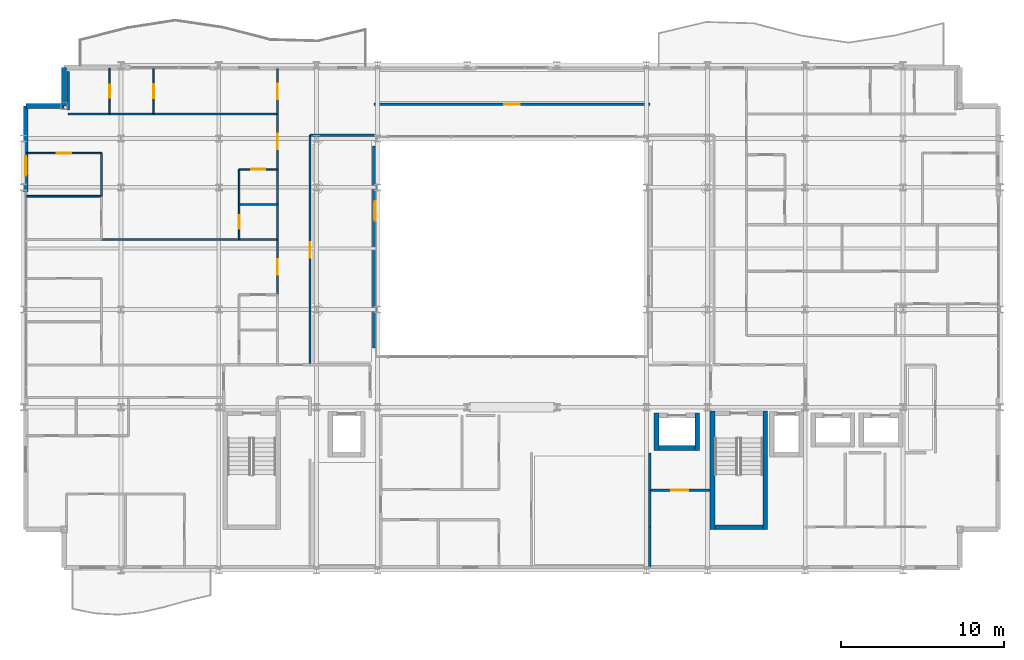
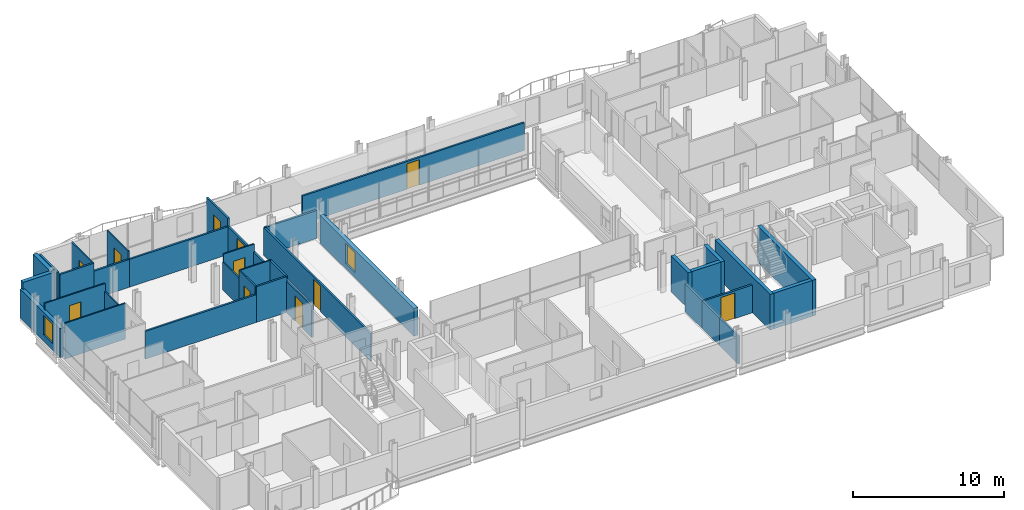
# One storey, part 35 of 41: 37 walls, 11 doors, 2 windows, 13 openings.
"""IFC4 building model written with IfcOpenShell, lengths in metres."""

from ifc_helpers import new_model, si_unit, direction, frame, frame_2d, origin, place, context, subcontext, project, spatial, rectangle, extrude, material, layer, layer_set, type_object, element, fill, save


model = new_model("IFC4")

# Units and contexts
model_context = context("Model", 3, precision=1e-05, world=origin(), true_north=direction((0.0, 1.0)))
body_context = subcontext(model_context, "Body", "Model", "MODEL_VIEW")
ifc_project = project(units=[si_unit("LENGTHUNIT", "METRE"), si_unit("AREAUNIT", "SQUARE_METRE"), si_unit("VOLUMEUNIT", "CUBIC_METRE"), si_unit("PLANEANGLEUNIT", "RADIAN"), si_unit("MASSUNIT", "GRAM", prefix="KILO")], contexts=[model_context])

# Site, building, storey
site_placement = place(None, origin())
site = spatial("IfcSite", under=ifc_project, at=site_placement, CompositionType="ELEMENT")
building_placement = place(site_placement, origin())
building = spatial("IfcBuilding", under=site, at=building_placement, Name="Brevholm Reach", CompositionType="ELEMENT")
storey_placement = place(building_placement, frame((0.0, 0.0, 144.89990234375)))
storey = spatial("IfcBuildingStorey", under=building, at=storey_placement, Name="L43", CompositionType="ELEMENT", Elevation=144.89990234375)

# Walls
ifc_material_1 = material(Name="Concrete C50/60", Category="concrete")
ifc_layer_1 = layer(ifc_material_1, 0.280029296875)
ifc_layer_set_1 = layer_set([ifc_layer_1], Name="Concrete C50/60")
wall_type_1 = type_object("IfcWallType", Name="WAL-COR-280", PredefinedType="SHEAR", material=ifc_layer_set_1)
for number, where, z_axis, x_axis, name in (
    (1, (42.31005859375, 2.5, 0.0), (0.0, 0.0, 1.0), (0.0, 1.0, 0.0), "L43 Escape Stair ST-2 Core Wall W"),
    (2, (45.5400390625, 2.5, 0.0), (0.0, 0.0, 1.0), (0.0, 1.0, 0.0), "L43 Escape Stair ST-2 Core Wall E"),
):
    element("IfcWall", number, at=place(storey_placement, frame(where, z_axis=z_axis, x_axis=x_axis)), inside=storey, type_object=wall_type_1, Name=name, PredefinedType="SHEAR", context=body_context, shape_type="SweptSolid", body=[
        extrude(rectangle(XDim=7.280029296875, YDim=0.280029296875, at=frame_2d((3.64013671875, 0.0))), origin(), (0.0, 0.0, 1.0), 2.880126953125),
    ])
wall_1_placement = place(storey_placement, frame((42.449951171875, 2.639892578125, 0.0), z_axis=(0.0, 0.0, 1.0), x_axis=(1.0, 0.0, 0.0)))
element("IfcWall", 3, at=wall_1_placement, inside=storey, type_object=wall_type_1, Name="L43 Escape Stair ST-2 Core Wall S", PredefinedType="SHEAR", context=body_context, shape_type="SweptSolid", body=[
    extrude(rectangle(XDim=2.949951171875, YDim=0.280029296875, at=frame_2d((1.47509765625, 0.0))), origin(), (0.0, 0.0, 1.0), 2.880126953125),
])
for number, where, z_axis, x_axis, name in (
    (4, (38.8701171875, 7.360107421875, 0.0), (0.0, 0.0, 1.0), (0.0, 1.0, 0.0), "L43 Lift PL-S1 Shaft Wall W"),
    (5, (41.3701171875, 7.360107421875, 0.0), (0.0, 0.0, 1.0), (0.0, 1.0, 0.0), "L43 Lift PL-S1 Shaft Wall E"),
):
    element("IfcWall", number, at=place(storey_placement, frame(where, z_axis=z_axis, x_axis=x_axis)), inside=storey, type_object=wall_type_1, Name=name, PredefinedType="SHEAR", context=body_context, shape_type="SweptSolid", body=[
        extrude(rectangle(XDim=2.27978515625, YDim=0.280029296875, at=frame_2d((1.139892578125, 0.0))), origin(), (0.0, 0.0, 1.0), 2.880126953125),
    ])
wall_2_placement = place(storey_placement, frame((39.010009765625, 7.5, 0.0), z_axis=(0.0, 0.0, 1.0), x_axis=(1.0, 0.0, 0.0)))
element("IfcWall", 6, at=wall_2_placement, inside=storey, type_object=wall_type_1, Name="L43 Lift PL-S1 Shaft Wall S", PredefinedType="SHEAR", context=body_context, shape_type="SweptSolid", body=[
    extrude(rectangle(XDim=2.219970703125, YDim=0.280029296875, at=frame_2d((1.10986328125, 0.0))), origin(), (0.0, 0.0, 1.0), 2.880126953125),
])
ifc_material_2 = material(Name="Concrete C40/50", Category="concrete")
ifc_layer_2 = layer(ifc_material_2, 0.300048828125)
ifc_layer_set_2 = layer_set([ifc_layer_2], Name="Concrete C40/50")
wall_type_2 = type_object("IfcWallType", Name="WAL-EXT-300", PredefinedType="STANDARD", material=ifc_layer_set_2)
for number, where, z_axis, x_axis, name in (
    (7, (2.5, 30.85009765625, 0.0), (0.0, 0.0, 1.0), (0.0, -1.0, 0.0), "L43 Facade Wall WAL-L43-CNW1"),
    (8, (2.5, 28.5, 0.0), (0.0, 0.0, 1.0), (-1.0, 0.0, 0.0), "L43 Facade Wall WAL-L43-CNW2"),
):
    element("IfcWall", number, at=place(storey_placement, frame(where, z_axis=z_axis, x_axis=x_axis)), inside=storey, type_object=wall_type_2, Name=name, PredefinedType="STANDARD", context=body_context, shape_type="SweptSolid", body=[
        extrude(rectangle(XDim=2.35009765625, YDim=0.300048828125, at=frame_2d((1.175048828125, 0.0))), origin(), (0.0, 0.0, 1.0), 2.880126953125),
    ])

# Wall, opening, window
wall_3_placement = place(storey_placement, frame((0.14990234375, 28.5, 0.0), z_axis=(0.0, 0.0, 1.0), x_axis=(0.0, -1.0, 0.0)))
wall_3 = element("IfcWall", 9, at=wall_3_placement, inside=storey, type_object=wall_type_2, Name="L43 Facade Wall WAL-L43-W-N", PredefinedType="STANDARD", context=body_context, shape_type="SweptSolid", body=[
    extrude(rectangle(XDim=5.280029296875, YDim=0.300048828125, at=frame_2d((2.64013671875, 0.0))), origin(), (0.0, 0.0, 1.0), 2.322021484375),
])
opening_1_placement = place(wall_3_placement, frame((3.080078125, 0.0, 0.501953125)))
opening_1 = element("IfcOpeningElement", 10, at=opening_1_placement, cuts=wall_3, Name="Opening WN-08", PredefinedType="OPENING", context=body_context, shape_type="SweptSolid", body=[
    extrude(rectangle(XDim=1.199951171875, YDim=1.60009765625, at=frame_2d((0.60009765625, 0.800048828125))), frame((0.0, 0.159912109375, 0.0), z_axis=(0.0, -1.0, 0.0), x_axis=(1.0, 0.0, 0.0)), (0.0, 0.0, 1.0), 0.320068359375),
])
ifc_material_3 = material(Name="Dark Anodised Aluminium and Solar-Control IGU Glass", Category="aluminium")
window_type = type_object("IfcWindowType", Name="WIN-RES-1200", PartitioningType="SINGLE_PANEL", PredefinedType="WINDOW", material=ifc_material_3)
window_1_placement = place(opening_1_placement, origin())
window_1 = element("IfcWindow", 11, at=window_1_placement, inside=storey, type_object=window_type, Name="L43 Window WIN-L43-WN-1", OverallHeight=1.60009765625, OverallWidth=1.199951171875, PartitioningType="SINGLE_PANEL", PredefinedType="WINDOW", context=body_context, shape_type="SweptSolid", body=[
    extrude(rectangle(XDim=1.199951171875, YDim=1.60009765625, at=frame_2d((0.60009765625, 0.800048828125))), frame((0.0, 0.030029296875, 0.0), z_axis=(0.0, -1.0, 0.0), x_axis=(1.0, 0.0, 0.0)), (0.0, 0.0, 1.0), 0.06005859375),
])
fill(opening_1, window_1)

wall_4_placement = place(storey_placement, frame((21.60009765625, 26.050048828125, 0.0), z_axis=(0.0, 0.0, 1.0), x_axis=(0.0, -1.0, 0.0)))
wall_4 = element("IfcWall", 12, at=wall_4_placement, inside=storey, type_object=wall_type_2, Name="L43 Facade Wall WAL-L43-AT-W", PredefinedType="STANDARD", context=body_context, shape_type="SweptSolid", body=[
    extrude(rectangle(XDim=12.400146484375, YDim=0.300048828125, at=frame_2d((6.2001953125, 0.0))), origin(), (0.0, 0.0, 1.0), 2.242919921875),
])
opening_2_placement = place(wall_4_placement, frame((3.39990234375, 0.0, 0.423095703125)))
opening_2 = element("IfcOpeningElement", 13, at=opening_2_placement, cuts=wall_4, Name="Opening WN-08", PredefinedType="OPENING", context=body_context, shape_type="SweptSolid", body=[
    extrude(rectangle(XDim=1.199951171875, YDim=1.60009765625, at=frame_2d((0.60009765625, 0.800048828125))), frame((0.0, 0.159912109375, 0.0), z_axis=(0.0, -1.0, 0.0), x_axis=(1.0, 0.0, 0.0)), (0.0, 0.0, 1.0), 0.320068359375),
])
window_2_placement = place(opening_2_placement, origin())
window_2 = element("IfcWindow", 14, at=window_2_placement, inside=storey, type_object=window_type, Name="L43 Window WIN-L43-AT-W1", OverallHeight=1.60009765625, OverallWidth=1.199951171875, PartitioningType="SINGLE_PANEL", PredefinedType="WINDOW", context=body_context, shape_type="SweptSolid", body=[
    extrude(rectangle(XDim=1.199951171875, YDim=1.60009765625, at=frame_2d((0.60009765625, 0.800048828125))), frame((0.0, 0.030029296875, 0.0), z_axis=(0.0, -1.0, 0.0), x_axis=(1.0, 0.0, 0.0)), (0.0, 0.0, 1.0), 0.06005859375),
])
fill(opening_2, window_2)

# Wall
ifc_material_4 = material(Name="Moisture-Resistant Acoustic Gypsum Stud Partition 100 mm", Category="gypsum")
ifc_layer_3 = layer(ifc_material_4, 0.10009765625)
ifc_layer_set_3 = layer_set([ifc_layer_3], Name="Moisture-Resistant Acoustic Gypsum Stud Partition 100 mm")
wall_type_3 = type_object("IfcWallType", Name="WAL-PRT-100", PredefinedType="PARTITIONING", material=ifc_layer_set_3)
wall_5_placement = place(storey_placement, frame((13.25, 22.449951171875, 0.0), z_axis=(0.0, 0.0, 1.0), x_axis=(1.0, 0.0, 0.0)))
element("IfcWall", 15, at=wall_5_placement, inside=storey, type_object=wall_type_3, Name="L43 Internal Partition 088", PredefinedType="PARTITIONING", context=body_context, shape_type="SweptSolid", body=[
    extrude(rectangle(XDim=2.345947265625, YDim=0.10009765625, at=frame_2d((1.1728515625, 0.0))), origin(), (0.0, 0.0, 1.0), 2.880126953125),
])

# Wall, opening, door
wall_6_placement = place(storey_placement, frame((13.25, 20.303955078125, 0.0), z_axis=(0.0, 0.0, 1.0), x_axis=(0.0, 1.0, 0.0)))
wall_6 = element("IfcWall", 16, at=wall_6_placement, inside=storey, type_object=wall_type_3, Name="L43 Internal Partition 089", PredefinedType="PARTITIONING", context=body_context, shape_type="SweptSolid", body=[
    extrude(rectangle(XDim=2.14599609375, YDim=0.10009765625, at=frame_2d((1.072998046875, 0.0))), origin(), (0.0, 0.0, 1.0), 2.880126953125),
])
opening_3_placement = place(wall_6_placement, frame((0.6630859375, 0.0, 0.0)))
opening_3 = element("IfcOpeningElement", 17, at=opening_3_placement, cuts=wall_6, Name="Opening ID-03", PredefinedType="OPENING", context=body_context, shape_type="SweptSolid", body=[
    extrude(rectangle(XDim=0.820068359375, YDim=2.02001953125, at=frame_2d((0.41015625, 1.010009765625))), frame((0.0, 0.06005859375, 0.0), z_axis=(0.0, -1.0, 0.0), x_axis=(1.0, 0.0, 0.0)), (0.0, 0.0, 1.0), 0.1201171875),
])
ifc_material_5 = material(Name="Moisture-Resistant Painted Timber Internal Bathroom Door", Category="wood")
door_type_1 = type_object("IfcDoorType", Name="DOR-BATH-820", OperationType="NOTDEFINED", PredefinedType="DOOR", material=ifc_material_5)
door_1_placement = place(opening_3_placement, origin())
door_1 = element("IfcDoor", 18, at=door_1_placement, inside=storey, type_object=door_type_1, Name="L43 Internal Door 038", OperationType="SINGLE_SWING_LEFT", OverallHeight=2.02001953125, OverallWidth=0.820068359375, PredefinedType="DOOR", context=body_context, shape_type="SweptSolid", body=[
    extrude(rectangle(XDim=0.820068359375, YDim=2.02001953125, at=frame_2d((0.41015625, 1.010009765625))), frame((0.0, 0.02490234375, 0.0), z_axis=(0.0, -1.0, 0.0), x_axis=(1.0, 0.0, 0.0)), (0.0, 0.0, 1.0), 0.050048828125),
])
fill(opening_3, door_1)

wall_7_placement = place(storey_placement, frame((13.25, 24.60595703125, 0.0), z_axis=(0.0, 0.0, 1.0), x_axis=(1.0, 0.0, 0.0)))
wall_7 = element("IfcWall", 19, at=wall_7_placement, inside=storey, type_object=wall_type_3, Name="L43 Internal Partition 090", PredefinedType="PARTITIONING", context=body_context, shape_type="SweptSolid", body=[
    extrude(rectangle(XDim=2.345947265625, YDim=0.10009765625, at=frame_2d((1.1728515625, 0.0))), origin(), (0.0, 0.0, 1.0), 2.880126953125),
])
opening_4_placement = place(wall_7_placement, frame((0.73291015625, 0.0, 0.0)))
opening_4 = element("IfcOpeningElement", 20, at=opening_4_placement, cuts=wall_7, Name="Opening ID-01", PredefinedType="OPENING", context=body_context, shape_type="SweptSolid", body=[
    extrude(rectangle(XDim=0.8798828125, YDim=2.0400390625, at=frame_2d((0.43994140625, 1.02001953125))), frame((0.0, 0.06005859375, 0.0), z_axis=(0.0, -1.0, 0.0), x_axis=(1.0, 0.0, 0.0)), (0.0, 0.0, 1.0), 0.1201171875),
])
ifc_material_6 = material(Name="Lacquered Ash Solid-Core Acoustic Internal Door", Category="timber")
door_type_2 = type_object("IfcDoorType", Name="DOR-INT-880", OperationType="NOTDEFINED", PredefinedType="DOOR", material=ifc_material_6)
door_2_placement = place(opening_4_placement, origin())
door_2 = element("IfcDoor", 21, at=door_2_placement, inside=storey, type_object=door_type_2, Name="L43 Internal Door 039", OperationType="SINGLE_SWING_RIGHT", OverallHeight=2.0400390625, OverallWidth=0.8798828125, PredefinedType="DOOR", context=body_context, shape_type="SweptSolid", body=[
    extrude(rectangle(XDim=0.8798828125, YDim=2.0400390625, at=frame_2d((0.43994140625, 1.02001953125))), frame((0.0, 0.02490234375, 0.0), z_axis=(0.0, -1.0, 0.0), x_axis=(1.0, 0.0, 0.0)), (0.0, 0.0, 1.0), 0.050048828125),
])
fill(opening_4, door_2)

# Walls
wall_8_placement = place(storey_placement, frame((13.25, 22.4541015625, 0.0), z_axis=(0.0, 0.0, 1.0), x_axis=(0.0, 1.0, 0.0)))
element("IfcWall", 22, at=wall_8_placement, inside=storey, type_object=wall_type_3, Name="L43 Internal Partition 091", PredefinedType="PARTITIONING", context=body_context, shape_type="SweptSolid", body=[
    extrude(rectangle(XDim=2.15185546875, YDim=0.10009765625, at=frame_2d((1.075927734375, 0.0))), origin(), (0.0, 0.0, 1.0), 2.242919921875),
])
wall_9_placement = place(storey_placement, frame((0.199951171875, 22.949951171875, 0.0), z_axis=(0.0, 0.0, 1.0), x_axis=(1.0, 0.0, 0.0)))
element("IfcWall", 23, at=wall_9_placement, inside=storey, type_object=wall_type_3, Name="L43 Internal Partition 092", PredefinedType="PARTITIONING", context=body_context, shape_type="SweptSolid", body=[
    extrude(rectangle(XDim=4.60009765625, YDim=0.10009765625, at=frame_2d((2.300048828125, 0.0))), origin(), (0.0, 0.0, 1.0), 2.880126953125),
])
wall_10_placement = place(storey_placement, frame((4.800048828125, 22.9541015625, 0.0), z_axis=(0.0, 0.0, 1.0), x_axis=(0.0, 1.0, 0.0)))
element("IfcWall", 24, at=wall_10_placement, inside=storey, type_object=wall_type_3, Name="L43 Internal Partition 094", PredefinedType="PARTITIONING", context=body_context, shape_type="SweptSolid", body=[
    extrude(rectangle(XDim=2.64599609375, YDim=0.10009765625, at=frame_2d((1.322998046875, 0.0))), origin(), (0.0, 0.0, 1.0), 2.242919921875),
])

# Wall, opening, door
wall_11_placement = place(storey_placement, frame((0.199951171875, 25.60009765625, 0.0), z_axis=(0.0, 0.0, 1.0), x_axis=(1.0, 0.0, 0.0)))
wall_11 = element("IfcWall", 25, at=wall_11_placement, inside=storey, type_object=wall_type_3, Name="L43 Internal Partition 095", PredefinedType="PARTITIONING", context=body_context, shape_type="SweptSolid", body=[
    extrude(rectangle(XDim=4.60009765625, YDim=0.10009765625, at=frame_2d((2.300048828125, 0.0))), origin(), (0.0, 0.0, 1.0), 2.880126953125),
])
opening_5_placement = place(wall_11_placement, frame((1.860107421875, 0.0, 0.0)))
opening_5 = element("IfcOpeningElement", 26, at=opening_5_placement, cuts=wall_11, Name="Opening ID-01", PredefinedType="OPENING", context=body_context, shape_type="SweptSolid", body=[
    extrude(rectangle(XDim=0.8798828125, YDim=2.0400390625, at=frame_2d((0.43994140625, 1.02001953125))), frame((0.0, 0.06005859375, 0.0), z_axis=(0.0, -1.0, 0.0), x_axis=(1.0, 0.0, 0.0)), (0.0, 0.0, 1.0), 0.1201171875),
])
door_3_placement = place(opening_5_placement, origin())
door_3 = element("IfcDoor", 27, at=door_3_placement, inside=storey, type_object=door_type_2, Name="L43 Internal Door 041", OperationType="SINGLE_SWING_RIGHT", OverallHeight=2.0400390625, OverallWidth=0.8798828125, PredefinedType="DOOR", context=body_context, shape_type="SweptSolid", body=[
    extrude(rectangle(XDim=0.8798828125, YDim=2.0400390625, at=frame_2d((0.43994140625, 1.02001953125))), frame((0.0, 0.02490234375, 0.0), z_axis=(0.0, -1.0, 0.0), x_axis=(1.0, 0.0, 0.0)), (0.0, 0.0, 1.0), 0.050048828125),
])
fill(opening_5, door_3)

wall_12_placement = place(storey_placement, frame((5.300048828125, 28.00390625, 0.0), z_axis=(0.0, 0.0, 1.0), x_axis=(0.0, 1.0, 0.0)))
wall_12 = element("IfcWall", 28, at=wall_12_placement, inside=storey, type_object=wall_type_3, Name="L43 Internal Partition 121", PredefinedType="PARTITIONING", context=body_context, shape_type="SweptSolid", body=[
    extrude(rectangle(XDim=2.796142578125, YDim=0.10009765625, at=frame_2d((1.39794921875, 0.0))), origin(), (0.0, 0.0, 1.0), 2.880126953125),
])
opening_6_placement = place(wall_12_placement, frame((0.988037109375, 0.0, 0.0)))
opening_6 = element("IfcOpeningElement", 29, at=opening_6_placement, cuts=wall_12, Name="Opening ID-03", PredefinedType="OPENING", context=body_context, shape_type="SweptSolid", body=[
    extrude(rectangle(XDim=0.820068359375, YDim=2.02001953125, at=frame_2d((0.41015625, 1.010009765625))), frame((0.0, 0.06005859375, 0.0), z_axis=(0.0, -1.0, 0.0), x_axis=(1.0, 0.0, 0.0)), (0.0, 0.0, 1.0), 0.1201171875),
])
door_4_placement = place(opening_6_placement, origin())
door_4 = element("IfcDoor", 30, at=door_4_placement, inside=storey, type_object=door_type_1, Name="L43 Access Door 051", OperationType="SINGLE_SWING_RIGHT", OverallHeight=2.02001953125, OverallWidth=0.820068359375, PredefinedType="DOOR", context=body_context, shape_type="SweptSolid", body=[
    extrude(rectangle(XDim=0.820068359375, YDim=2.02001953125, at=frame_2d((0.41015625, 1.010009765625))), frame((0.0, 0.02490234375, 0.0), z_axis=(0.0, -1.0, 0.0), x_axis=(1.0, 0.0, 0.0)), (0.0, 0.0, 1.0), 0.050048828125),
])
fill(opening_6, door_4)

wall_13_placement = place(storey_placement, frame((8.0, 28.00390625, 0.0), z_axis=(0.0, 0.0, 1.0), x_axis=(0.0, 1.0, 0.0)))
wall_13 = element("IfcWall", 31, at=wall_13_placement, inside=storey, type_object=wall_type_3, Name="L43 Internal Partition 122", PredefinedType="PARTITIONING", context=body_context, shape_type="SweptSolid", body=[
    extrude(rectangle(XDim=2.796142578125, YDim=0.10009765625, at=frame_2d((1.39794921875, 0.0))), origin(), (0.0, 0.0, 1.0), 2.880126953125),
])
opening_7_placement = place(wall_13_placement, frame((0.9580078125, 0.0, 0.0)))
opening_7 = element("IfcOpeningElement", 32, at=opening_7_placement, cuts=wall_13, Name="Opening ID-01", PredefinedType="OPENING", context=body_context, shape_type="SweptSolid", body=[
    extrude(rectangle(XDim=0.8798828125, YDim=2.0400390625, at=frame_2d((0.43994140625, 1.02001953125))), frame((0.0, 0.06005859375, 0.0), z_axis=(0.0, -1.0, 0.0), x_axis=(1.0, 0.0, 0.0)), (0.0, 0.0, 1.0), 0.1201171875),
])
door_5_placement = place(opening_7_placement, origin())
door_5 = element("IfcDoor", 33, at=door_5_placement, inside=storey, type_object=door_type_2, Name="L43 Internal Door 049", OperationType="SINGLE_SWING_RIGHT", OverallHeight=2.0400390625, OverallWidth=0.8798828125, PredefinedType="DOOR", context=body_context, shape_type="SweptSolid", body=[
    extrude(rectangle(XDim=0.8798828125, YDim=2.0400390625, at=frame_2d((0.43994140625, 1.02001953125))), frame((0.0, 0.02490234375, 0.0), z_axis=(0.0, -1.0, 0.0), x_axis=(1.0, 0.0, 0.0)), (0.0, 0.0, 1.0), 0.050048828125),
])
fill(opening_7, door_5)

# Walls
ifc_material_7 = material(Name="Twin-Stud Acoustic Fire-Rated Gypsum Partition 140 mm", Category="gypsum")
ifc_layer_4 = layer(ifc_material_7, 0.139892578125)
ifc_layer_set_4 = layer_set([ifc_layer_4], Name="Twin-Stud Acoustic Fire-Rated Gypsum Partition 140 mm")
wall_type_4 = type_object("IfcWallType", Name="WAL-PRT-140", PredefinedType="PARTITIONING", material=ifc_layer_set_4)
wall_14_placement = place(storey_placement, frame((38.449951171875, 0.179931640625, 0.0), z_axis=(0.0, 0.0, 1.0), x_axis=(0.0, 1.0, 0.0)))
element("IfcWall", 34, at=wall_14_placement, inside=storey, type_object=wall_type_4, Name="L43 Internal Partition 013", PredefinedType="PARTITIONING", context=body_context, shape_type="SweptSolid", body=[
    extrude(rectangle(XDim=2.4814453125, YDim=0.139892578125, at=frame_2d((1.24072265625, 0.0))), origin(), (0.0, 0.0, 1.0), 2.242919921875),
])
wall_15_placement = place(storey_placement, frame((38.449951171875, 2.642578125, 0.0), z_axis=(0.0, 0.0, 1.0), x_axis=(0.0, 1.0, 0.0)))
element("IfcWall", 35, at=wall_15_placement, inside=storey, type_object=wall_type_4, Name="L43 Internal Partition 014", PredefinedType="PARTITIONING", context=body_context, shape_type="SweptSolid", body=[
    extrude(rectangle(XDim=2.268798828125, YDim=0.139892578125, at=frame_2d((1.13427734375, 0.0))), origin(), (0.0, 0.0, 1.0), 2.242919921875),
])
wall_16_placement = place(storey_placement, frame((38.449951171875, 4.892578125, 0.0), z_axis=(0.0, 0.0, 1.0), x_axis=(0.0, 1.0, 0.0)))
element("IfcWall", 36, at=wall_16_placement, inside=storey, type_object=wall_type_4, Name="L43 Internal Partition 015", PredefinedType="PARTITIONING", context=body_context, shape_type="SweptSolid", body=[
    extrude(rectangle(XDim=2.307373046875, YDim=0.139892578125, at=frame_2d((1.15380859375, 0.0))), origin(), (0.0, 0.0, 1.0), 2.242919921875),
])

# Wall, opening, door
wall_17_placement = place(storey_placement, frame((38.4541015625, 4.89990234375, 0.0), z_axis=(0.0, 0.0, 1.0), x_axis=(1.0, 0.0, 0.0)))
wall_17 = element("IfcWall", 37, at=wall_17_placement, inside=storey, type_object=wall_type_4, Name="L43 Internal Partition 024", PredefinedType="PARTITIONING", context=body_context, shape_type="SweptSolid", body=[
    extrude(rectangle(XDim=3.705810546875, YDim=0.139892578125, at=frame_2d((1.85302734375, 0.0))), origin(), (0.0, 0.0, 1.0), 2.242919921875),
])
opening_8_placement = place(wall_17_placement, frame((1.327880859375, 0.0, 0.0)))
opening_8 = element("IfcOpeningElement", 38, at=opening_8_placement, cuts=wall_17, Name="Opening FD-01", PredefinedType="OPENING", context=body_context, shape_type="SweptSolid", body=[
    extrude(rectangle(XDim=1.050048828125, YDim=2.06005859375, at=frame_2d((0.52490234375, 1.030029296875))), frame((0.0, 0.079833984375, 0.0), z_axis=(0.0, -1.0, 0.0), x_axis=(1.0, 0.0, 0.0)), (0.0, 0.0, 1.0), 0.159912109375),
])
ifc_material_8 = material(Name="Hardwood-Lipped Steel-Core Fire and Smoke Door", Category="steel")
door_type_3 = type_object("IfcDoorType", Name="DOR-INT-FD60S", OperationType="NOTDEFINED", PredefinedType="DOOR", material=ifc_material_8)
door_6_placement = place(opening_8_placement, origin())
door_6 = element("IfcDoor", 39, at=door_6_placement, inside=storey, type_object=door_type_3, Name="L43 Internal Door 012", OperationType="SINGLE_SWING_LEFT", OverallHeight=2.06005859375, OverallWidth=1.050048828125, PredefinedType="DOOR", context=body_context, shape_type="SweptSolid", body=[
    extrude(rectangle(XDim=1.050048828125, YDim=2.06005859375, at=frame_2d((0.52490234375, 1.030029296875))), frame((0.0, 0.02490234375, 0.0), z_axis=(0.0, -1.0, 0.0), x_axis=(1.0, 0.0, 0.0)), (0.0, 0.0, 1.0), 0.050048828125),
])
fill(opening_8, door_6)

wall_18_placement = place(storey_placement, frame((15.60009765625, 16.898681640625, 0.0), z_axis=(0.0, 0.0, 1.0), x_axis=(0.0, 1.0, 0.0)))
wall_18 = element("IfcWall", 40, at=wall_18_placement, inside=storey, type_object=wall_type_4, Name="L43 Internal Partition 044", PredefinedType="PARTITIONING", context=body_context, shape_type="SweptSolid", body=[
    extrude(rectangle(XDim=3.41259765625, YDim=0.139892578125, at=frame_2d((1.706298828125, 0.0))), origin(), (0.0, 0.0, 1.0), 2.5517578125),
])
opening_9_placement = place(wall_18_placement, frame((1.231201171875, 0.0, 0.0)))
opening_9 = element("IfcOpeningElement", 41, at=opening_9_placement, cuts=wall_18, Name="Opening ID-30", PredefinedType="OPENING", context=body_context, shape_type="SweptSolid", body=[
    extrude(rectangle(XDim=0.949951171875, YDim=2.050048828125, at=frame_2d((0.47509765625, 1.02490234375))), frame((0.0, 0.079833984375, 0.0), z_axis=(0.0, -1.0, 0.0), x_axis=(1.0, 0.0, 0.0)), (0.0, 0.0, 1.0), 0.159912109375),
])
ifc_material_9 = material(Name="European Oak Veneered Solid-Core Fire Entrance Door", Category="timber")
door_type_4 = type_object("IfcDoorType", Name="DOR-FLT-FD30S", OperationType="NOTDEFINED", PredefinedType="DOOR", material=ifc_material_9)
door_7_placement = place(opening_9_placement, origin())
door_7 = element("IfcDoor", 42, at=door_7_placement, inside=storey, type_object=door_type_4, Name="L43 Internal Door 021", OperationType="SINGLE_SWING_RIGHT", OverallHeight=2.050048828125, OverallWidth=0.949951171875, PredefinedType="DOOR", context=body_context, shape_type="SweptSolid", body=[
    extrude(rectangle(XDim=0.949951171875, YDim=2.050048828125, at=frame_2d((0.47509765625, 1.02490234375))), frame((0.0, 0.02490234375, 0.0), z_axis=(0.0, -1.0, 0.0), x_axis=(1.0, 0.0, 0.0)), (0.0, 0.0, 1.0), 0.050048828125),
])
fill(opening_9, door_7)

# Walls
wall_19_placement = place(storey_placement, frame((15.60009765625, 20.292724609375, 0.0), z_axis=(0.0, 0.0, 1.0), x_axis=(0.0, 1.0, 0.0)))
element("IfcWall", 43, at=wall_19_placement, inside=storey, type_object=wall_type_4, Name="L43 Internal Partition 045", PredefinedType="PARTITIONING", context=body_context, shape_type="SweptSolid", body=[
    extrude(rectangle(XDim=2.16845703125, YDim=0.139892578125, at=frame_2d((1.084228515625, 0.0))), origin(), (0.0, 0.0, 1.0), 2.880126953125),
])
wall_20_placement = place(storey_placement, frame((15.60009765625, 22.442626953125, 0.0), z_axis=(0.0, 0.0, 1.0), x_axis=(0.0, 1.0, 0.0)))
element("IfcWall", 44, at=wall_20_placement, inside=storey, type_object=wall_type_4, Name="L43 Internal Partition 046", PredefinedType="PARTITIONING", context=body_context, shape_type="SweptSolid", body=[
    extrude(rectangle(XDim=2.174560546875, YDim=0.139892578125, at=frame_2d((1.08740234375, 0.0))), origin(), (0.0, 0.0, 1.0), 2.242919921875),
])

# Wall, opening, door
wall_21_placement = place(storey_placement, frame((15.60009765625, 24.5986328125, 0.0), z_axis=(0.0, 0.0, 1.0), x_axis=(0.0, 1.0, 0.0)))
wall_21 = element("IfcWall", 45, at=wall_21_placement, inside=storey, type_object=wall_type_4, Name="L43 Internal Partition 047", PredefinedType="PARTITIONING", context=body_context, shape_type="SweptSolid", body=[
    extrude(rectangle(XDim=3.41259765625, YDim=0.139892578125, at=frame_2d((1.706298828125, 0.0))), origin(), (0.0, 0.0, 1.0), 2.242919921875),
])
opening_10_placement = place(wall_21_placement, frame((1.231201171875, 0.0, 0.0)))
opening_10 = element("IfcOpeningElement", 46, at=opening_10_placement, cuts=wall_21, Name="Opening ID-30", PredefinedType="OPENING", context=body_context, shape_type="SweptSolid", body=[
    extrude(rectangle(XDim=0.949951171875, YDim=2.050048828125, at=frame_2d((0.47509765625, 1.02490234375))), frame((0.0, 0.079833984375, 0.0), z_axis=(0.0, -1.0, 0.0), x_axis=(1.0, 0.0, 0.0)), (0.0, 0.0, 1.0), 0.159912109375),
])
door_8_placement = place(opening_10_placement, origin())
door_8 = element("IfcDoor", 47, at=door_8_placement, inside=storey, type_object=door_type_4, Name="L43 Internal Door 022", OperationType="SINGLE_SWING_LEFT", OverallHeight=2.050048828125, OverallWidth=0.949951171875, PredefinedType="DOOR", context=body_context, shape_type="SweptSolid", body=[
    extrude(rectangle(XDim=0.949951171875, YDim=2.050048828125, at=frame_2d((0.47509765625, 1.02490234375))), frame((0.0, 0.02490234375, 0.0), z_axis=(0.0, -1.0, 0.0), x_axis=(1.0, 0.0, 0.0)), (0.0, 0.0, 1.0), 0.050048828125),
])
fill(opening_10, door_8)

wall_22_placement = place(storey_placement, frame((17.60009765625, 12.60400390625, 0.0), z_axis=(0.0, 0.0, 1.0), x_axis=(0.0, 1.0, 0.0)))
wall_22 = element("IfcWall", 48, at=wall_22_placement, inside=storey, type_object=wall_type_4, Name="L43 Internal Partition 048", PredefinedType="PARTITIONING", context=body_context, shape_type="SweptSolid", body=[
    extrude(rectangle(XDim=14.103271484375, YDim=0.139892578125, at=frame_2d((7.0517578125, 0.0))), origin(), (0.0, 0.0, 1.0), 2.242919921875),
])
opening_11_placement = place(wall_22_placement, frame((6.57666015625, 0.0, 0.0)))
opening_11 = element("IfcOpeningElement", 49, at=opening_11_placement, cuts=wall_22, Name="Opening ID-30", PredefinedType="OPENING", context=body_context, shape_type="SweptSolid", body=[
    extrude(rectangle(XDim=0.949951171875, YDim=2.050048828125, at=frame_2d((0.47509765625, 1.02490234375))), frame((0.0, 0.079833984375, 0.0), z_axis=(0.0, -1.0, 0.0), x_axis=(1.0, 0.0, 0.0)), (0.0, 0.0, 1.0), 0.159912109375),
])
door_9_placement = place(opening_11_placement, origin())
door_9 = element("IfcDoor", 50, at=door_9_placement, inside=storey, type_object=door_type_4, Name="L43 Internal Door 023", OperationType="SINGLE_SWING_RIGHT", OverallHeight=2.050048828125, OverallWidth=0.949951171875, PredefinedType="DOOR", context=body_context, shape_type="SweptSolid", body=[
    extrude(rectangle(XDim=0.949951171875, YDim=2.050048828125, at=frame_2d((0.47509765625, 1.02490234375))), frame((0.0, 0.02490234375, 0.0), z_axis=(0.0, -1.0, 0.0), x_axis=(1.0, 0.0, 0.0)), (0.0, 0.0, 1.0), 0.050048828125),
])
fill(opening_11, door_9)

wall_23_placement = place(storey_placement, frame((15.60009765625, 27.99267578125, 0.0), z_axis=(0.0, 0.0, 1.0), x_axis=(0.0, 1.0, 0.0)))
wall_23 = element("IfcWall", 51, at=wall_23_placement, inside=storey, type_object=wall_type_4, Name="L43 Internal Partition 049", PredefinedType="PARTITIONING", context=body_context, shape_type="SweptSolid", body=[
    extrude(rectangle(XDim=2.807373046875, YDim=0.139892578125, at=frame_2d((1.40380859375, 0.0))), origin(), (0.0, 0.0, 1.0), 2.880126953125),
])
opening_12_placement = place(wall_23_placement, frame((0.9287109375, 0.0, 0.0)))
opening_12 = element("IfcOpeningElement", 52, at=opening_12_placement, cuts=wall_23, Name="Opening ID-30", PredefinedType="OPENING", context=body_context, shape_type="SweptSolid", body=[
    extrude(rectangle(XDim=0.949951171875, YDim=2.050048828125, at=frame_2d((0.47509765625, 1.02490234375))), frame((0.0, 0.079833984375, 0.0), z_axis=(0.0, -1.0, 0.0), x_axis=(1.0, 0.0, 0.0)), (0.0, 0.0, 1.0), 0.159912109375),
])
door_10_placement = place(opening_12_placement, origin())
door_10 = element("IfcDoor", 53, at=door_10_placement, inside=storey, type_object=door_type_4, Name="L43 Internal Door 024", OperationType="SINGLE_SWING_LEFT", OverallHeight=2.050048828125, OverallWidth=0.949951171875, PredefinedType="DOOR", context=body_context, shape_type="SweptSolid", body=[
    extrude(rectangle(XDim=0.949951171875, YDim=2.050048828125, at=frame_2d((0.47509765625, 1.02490234375))), frame((0.0, 0.02490234375, 0.0), z_axis=(0.0, -1.0, 0.0), x_axis=(1.0, 0.0, 0.0)), (0.0, 0.0, 1.0), 0.050048828125),
])
fill(opening_12, door_10)

# Wall
wall_24_placement = place(storey_placement, frame((17.60400390625, 26.699951171875, 0.0), z_axis=(0.0, 0.0, 1.0), x_axis=(1.0, 0.0, 0.0)))
element("IfcWall", 54, at=wall_24_placement, inside=storey, type_object=wall_type_4, Name="L43 Internal Partition 060", PredefinedType="PARTITIONING", context=body_context, shape_type="SweptSolid", body=[
    extrude(rectangle(XDim=3.957275390625, YDim=0.139892578125, at=frame_2d((1.978515625, 0.0))), origin(), (0.0, 0.0, 1.0), 2.242919921875),
])

# Wall, opening, door
wall_25_placement = place(storey_placement, frame((21.542724609375, 28.60009765625, 0.0), z_axis=(0.0, 0.0, 1.0), x_axis=(1.0, 0.0, 0.0)))
wall_25 = element("IfcWall", 55, at=wall_25_placement, inside=storey, type_object=wall_type_4, Name="L43 Internal Partition 062", PredefinedType="PARTITIONING", context=body_context, shape_type="SweptSolid", body=[
    extrude(rectangle(XDim=16.91455078125, YDim=0.139892578125, at=frame_2d((8.457275390625, 0.0))), origin(), (0.0, 0.0, 1.0), 2.242919921875),
])
opening_13_placement = place(wall_25_placement, frame((7.982421875, 0.0, 0.0)))
opening_13 = element("IfcOpeningElement", 56, at=opening_13_placement, cuts=wall_25, Name="Opening ID-30", PredefinedType="OPENING", context=body_context, shape_type="SweptSolid", body=[
    extrude(rectangle(XDim=0.949951171875, YDim=2.050048828125, at=frame_2d((0.47509765625, 1.02490234375))), frame((0.0, 0.079833984375, 0.0), z_axis=(0.0, -1.0, 0.0), x_axis=(1.0, 0.0, 0.0)), (0.0, 0.0, 1.0), 0.159912109375),
])
door_11_placement = place(opening_13_placement, origin())
door_11 = element("IfcDoor", 57, at=door_11_placement, inside=storey, type_object=door_type_4, Name="L43 Internal Door 028", OperationType="SINGLE_SWING_LEFT", OverallHeight=2.050048828125, OverallWidth=0.949951171875, PredefinedType="DOOR", context=body_context, shape_type="SweptSolid", body=[
    extrude(rectangle(XDim=0.949951171875, YDim=2.050048828125, at=frame_2d((0.47509765625, 1.02490234375))), frame((0.0, 0.02490234375, 0.0), z_axis=(0.0, -1.0, 0.0), x_axis=(1.0, 0.0, 0.0)), (0.0, 0.0, 1.0), 0.050048828125),
])
fill(opening_13, door_11)

# Walls
wall_26_placement = place(storey_placement, frame((13.23876953125, 20.300048828125, 0.0), z_axis=(0.0, 0.0, 1.0), x_axis=(1.0, 0.0, 0.0)))
element("IfcWall", 58, at=wall_26_placement, inside=storey, type_object=wall_type_4, Name="L43 Internal Partition 085", PredefinedType="PARTITIONING", context=body_context, shape_type="SweptSolid", body=[
    extrude(rectangle(XDim=2.357177734375, YDim=0.139892578125, at=frame_2d((1.1787109375, 0.0))), origin(), (0.0, 0.0, 1.0), 2.880126953125),
])
wall_27_placement = place(storey_placement, frame((4.792724609375, 20.300048828125, 0.0), z_axis=(0.0, 0.0, 1.0), x_axis=(1.0, 0.0, 0.0)))
element("IfcWall", 59, at=wall_27_placement, inside=storey, type_object=wall_type_4, Name="L43 Internal Partition 087", PredefinedType="PARTITIONING", context=body_context, shape_type="SweptSolid", body=[
    extrude(rectangle(XDim=8.464599609375, YDim=0.139892578125, at=frame_2d((4.232421875, 0.0))), origin(), (0.0, 0.0, 1.0), 2.242919921875),
])
wall_28_placement = place(storey_placement, frame((2.73876953125, 28.0, 0.0), z_axis=(0.0, 0.0, 1.0), x_axis=(1.0, 0.0, 0.0)))
element("IfcWall", 60, at=wall_28_placement, inside=storey, type_object=wall_type_4, Name="L43 Internal Partition 096", PredefinedType="PARTITIONING", context=body_context, shape_type="SweptSolid", body=[
    extrude(rectangle(XDim=2.572509765625, YDim=0.139892578125, at=frame_2d((1.2861328125, 0.0))), origin(), (0.0, 0.0, 1.0), 2.880126953125),
])
wall_29_placement = place(storey_placement, frame((5.292724609375, 28.0, 0.0), z_axis=(0.0, 0.0, 1.0), x_axis=(1.0, 0.0, 0.0)))
element("IfcWall", 61, at=wall_29_placement, inside=storey, type_object=wall_type_4, Name="L43 Internal Partition 097", PredefinedType="PARTITIONING", context=body_context, shape_type="SweptSolid", body=[
    extrude(rectangle(XDim=2.718505859375, YDim=0.139892578125, at=frame_2d((1.359375, 0.0))), origin(), (0.0, 0.0, 1.0), 2.242919921875),
])
wall_30_placement = place(storey_placement, frame((7.99267578125, 28.0, 0.0), z_axis=(0.0, 0.0, 1.0), x_axis=(1.0, 0.0, 0.0)))
element("IfcWall", 62, at=wall_30_placement, inside=storey, type_object=wall_type_4, Name="L43 Internal Partition 098", PredefinedType="PARTITIONING", context=body_context, shape_type="SweptSolid", body=[
    extrude(rectangle(XDim=7.603271484375, YDim=0.139892578125, at=frame_2d((3.8017578125, 0.0))), origin(), (0.0, 0.0, 1.0), 2.242919921875),
])
wall_31_placement = place(storey_placement, frame((2.75, 28.239990234375, 0.0), z_axis=(0.0, 0.0, 1.0), x_axis=(0.0, 1.0, 0.0)))
element("IfcWall", 63, at=wall_31_placement, inside=storey, type_object=wall_type_4, Name="L43 Internal Partition 129", PredefinedType="PARTITIONING", context=body_context, shape_type="SweptSolid", body=[
    extrude(rectangle(XDim=2.3701171875, YDim=0.139892578125, at=frame_2d((1.18505859375, 0.0))), origin(), (0.0, 0.0, 1.0), 2.880126953125),
])

save(model, "model.ifc")
